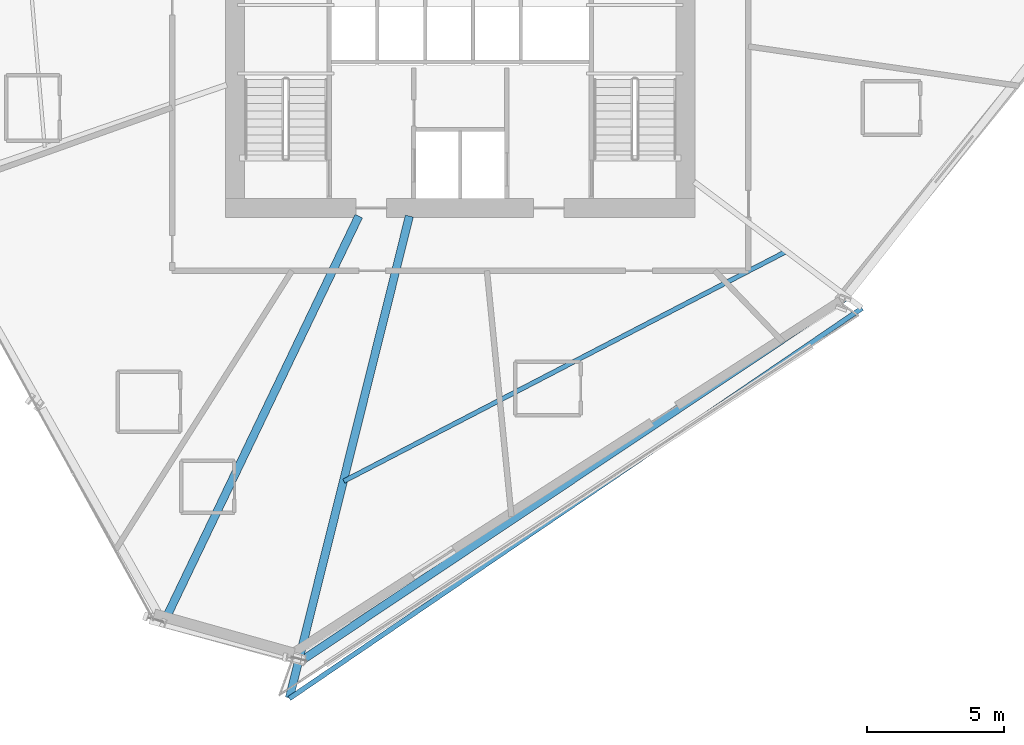
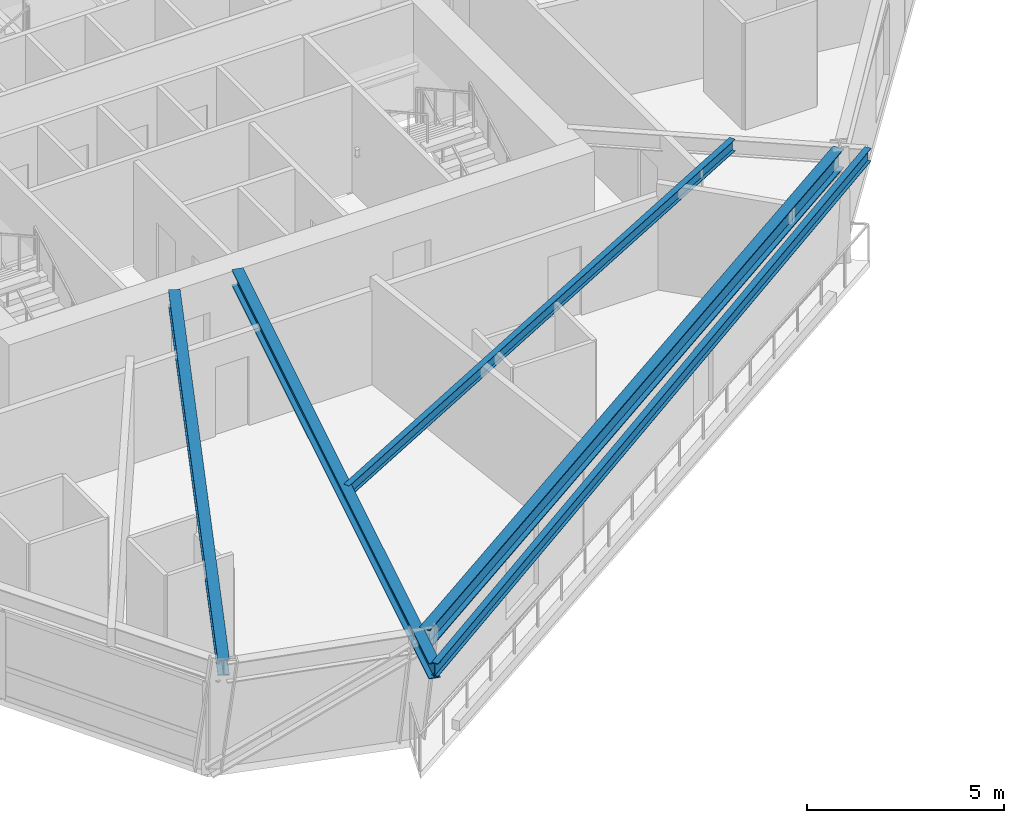
# One storey, part 4 of 21: 5 beams.
"""IFC4 building model written with IfcOpenShell, lengths in metres."""

from ifc_helpers import new_model, si_unit, direction, frame, origin, origin_2d, place, context, subcontext, project, spatial, i_section, extrude, source, transform, mapped, material, material_profile, profile_set, type_object, element, save


model = new_model("IFC4")

# Units and contexts
model_context = context("Model", 3, precision=1e-05, world=origin(), true_north=direction((0.0, 1.0)))
body_context = subcontext(model_context, "Body", "Model", "MODEL_VIEW")
ifc_project = project(units=[si_unit("LENGTHUNIT", "METRE"), si_unit("AREAUNIT", "SQUARE_METRE"), si_unit("VOLUMEUNIT", "CUBIC_METRE"), si_unit("PLANEANGLEUNIT", "RADIAN"), si_unit("MASSUNIT", "GRAM", prefix="KILO")], contexts=[model_context])

# Site, building, storey
site_placement = place(None, origin())
site = spatial("IfcSite", under=ifc_project, at=site_placement, CompositionType="ELEMENT")
building_placement = place(site_placement, origin())
building = spatial("IfcBuilding", under=site, at=building_placement, Name="Olszyna Solenne Hotel", CompositionType="ELEMENT")
storey_placement = place(building_placement, frame((0.0, 0.0, 109.25)))
storey = spatial("IfcBuildingStorey", under=building, at=storey_placement, Name="L28", CompositionType="ELEMENT", Elevation=109.25)

# Beams
ifc_material = material(Name="Steel S355J2", Category="steel")
ifc_material_profile_1 = material_profile(ifc_material, i_section(OverallWidth=0.300048828125, OverallDepth=0.60009765625, WebThickness=0.015380859375, FlangeThickness=0.030029296875, at=origin_2d()), Name="HEB 600", Category="load-bearing")
ifc_profile_set_1 = profile_set([ifc_material_profile_1], Name="Steel S355J2")
beam_type_1 = type_object("IfcBeamType", Name="BM-S2", PredefinedType="BEAM", material=ifc_profile_set_1)
shared_shape_1 = source(origin(), body_context, "Body", "SweptSolid", [
    extrude(i_section(OverallWidth=0.300048828125, OverallDepth=0.60009765625, WebThickness=0.015380859375, FlangeThickness=0.030029296875, at=origin_2d()), origin(), (0.0, 0.0, 1.0), 23.800048828125),
])
beam_1_placement = place(storey_placement, frame((32.2724609375, 2.633056640625, 3.0), z_axis=(0.831440625985, 0.55561361166, 0.0), x_axis=(-0.55561361166, 0.831440625985, 0.0)))
element("IfcBeam", 1, at=beam_1_placement, inside=storey, type_object=beam_type_1, Name="Perimeter spandrel beam BM-S2 B-L28-0848", PredefinedType="BEAM", context=body_context, shape_type="MappedRepresentation", body=[
    mapped(shared_shape_1, transform((0.0, 0.0, 0.0), x_axis=(1.0, 0.0, 0.0), y_axis=(0.0, 1.0, 0.0), z_axis=(0.0, 0.0, 1.0), scale=1.0)),
])
ifc_material_profile_2 = material_profile(ifc_material, i_section(OverallWidth=0.300048828125, OverallDepth=0.489990234375, WebThickness=0.011962890625, FlangeThickness=0.02294921875, at=origin_2d()), Name="HEA 500", Category="load-bearing")
ifc_profile_set_2 = profile_set([ifc_material_profile_2], Name="Steel S355J2")
beam_type_2 = type_object("IfcBeamType", Name="BM-G1", PredefinedType="BEAM", material=ifc_profile_set_2)
shared_shape_2 = source(origin(), body_context, "Body", "SweptSolid", [
    extrude(i_section(OverallWidth=0.300048828125, OverallDepth=0.489990234375, WebThickness=0.011962890625, FlangeThickness=0.02294921875, at=origin_2d()), origin(), (0.0, 0.0, 1.0), 16.46630859375),
])
beam_2_placement = place(storey_placement, frame((27.16015625, 3.998046875, 3.054931640625), z_axis=(0.432433161961, 0.901665991616, 0.0), x_axis=(-0.901665991616, 0.432433161961, 0.0)))
element("IfcBeam", 2, at=beam_2_placement, inside=storey, type_object=beam_type_2, Name="Radial floor girder BM-G1 B-L28-0857", PredefinedType="BEAM", context=body_context, shape_type="MappedRepresentation", body=[
    mapped(shared_shape_2, transform((0.0, 0.0, 0.0), x_axis=(1.0, 0.0, 0.0), y_axis=(0.0, 1.0, 0.0), z_axis=(0.0, 0.0, 1.0), scale=1.0)),
])
shared_shape_3 = source(origin(), body_context, "Body", "SweptSolid", [
    extrude(i_section(OverallWidth=0.300048828125, OverallDepth=0.489990234375, WebThickness=0.011962890625, FlangeThickness=0.02294921875, at=origin_2d()), origin(), (0.0, 0.0, 1.0), 18.18017578125),
])
beam_3_placement = place(storey_placement, frame((31.74267578125, 1.206787109375, 3.054931640625), z_axis=(0.241546496448, 0.97038924667, 0.0), x_axis=(-0.97038924667, 0.241546496448, 0.0)))
element("IfcBeam", 3, at=beam_3_placement, inside=storey, type_object=beam_type_2, Name="Radial floor girder BM-G1 B-L28-0858", PredefinedType="BEAM", context=body_context, shape_type="MappedRepresentation", body=[
    mapped(shared_shape_3, transform((0.0, 0.0, 0.0), x_axis=(1.0, 0.0, 0.0), y_axis=(0.0, 1.0, 0.0), z_axis=(0.0, 0.0, 1.0), scale=1.0)),
])
ifc_material_profile_3 = material_profile(ifc_material, i_section(OverallWidth=0.169921875, OverallDepth=0.360107421875, WebThickness=0.008056640625, FlangeThickness=0.0126953125, at=origin_2d()), Name="IPE 360", Category="load-bearing")
ifc_profile_set_3 = profile_set([ifc_material_profile_3], Name="Steel S355J2")
beam_type_3 = type_object("IfcBeamType", Name="JS-01", PredefinedType="JOIST", material=ifc_profile_set_3)
shared_shape_4 = source(origin(), body_context, "Body", "SweptSolid", [
    extrude(i_section(OverallWidth=0.169921875, OverallDepth=0.360107421875, WebThickness=0.008056640625, FlangeThickness=0.0126953125, at=origin_2d()), origin(), (0.0, 0.0, 1.0), 18.242431640625),
])
beam_4_placement = place(storey_placement, frame((33.73388671875, 9.14404296875, 3.1201171875), z_axis=(0.887505865467, 0.460796417913, 0.0), x_axis=(-0.460796417913, 0.887505865467, 0.0)))
element("IfcBeam", 4, at=beam_4_placement, inside=storey, type_object=beam_type_3, Name="Secondary composite floor joist JS-01 B-L28-0864", PredefinedType="JOIST", context=body_context, shape_type="MappedRepresentation", body=[
    mapped(shared_shape_4, transform((0.0, 0.0, 0.0), x_axis=(1.0, 0.0, 0.0), y_axis=(0.0, 1.0, 0.0), z_axis=(0.0, 0.0, 1.0), scale=1.0)),
])
ifc_material_profile_4 = material_profile(ifc_material, i_section(OverallWidth=0.179931640625, OverallDepth=0.39990234375, WebThickness=0.008544921875, FlangeThickness=0.013427734375, at=origin_2d()), Name="IPE 400", Category="load-bearing")
ifc_profile_set_4 = profile_set([ifc_material_profile_4], Name="Steel S355J2")
beam_type_4 = type_object("IfcBeamType", Name="BM-F5", PredefinedType="BEAM", material=ifc_profile_set_4)
shared_shape_5 = source(origin(), body_context, "Body", "SweptSolid", [
    extrude(i_section(OverallWidth=0.179931640625, OverallDepth=0.39990234375, WebThickness=0.008544921875, FlangeThickness=0.013427734375, at=origin_2d()), origin(), (0.0, 0.0, 1.0), 25.377197265625),
])
beam_5_placement = place(storey_placement, frame((31.73779296875, 1.187255859375, 3.10009765625), z_axis=(0.826359211406, 0.563143368712, 0.0), x_axis=(-0.563143368712, 0.826359211406, 0.0)))
element("IfcBeam", 5, at=beam_5_placement, inside=storey, type_object=beam_type_4, Name="Loggia outer edge beam BM-F5 B-L28-0867", PredefinedType="BEAM", context=body_context, shape_type="MappedRepresentation", body=[
    mapped(shared_shape_5, transform((0.0, 0.0, 0.0), x_axis=(1.0, 0.0, 0.0), y_axis=(0.0, 1.0, 0.0), z_axis=(0.0, 0.0, 1.0), scale=1.0)),
])

save(model, "model.ifc")
